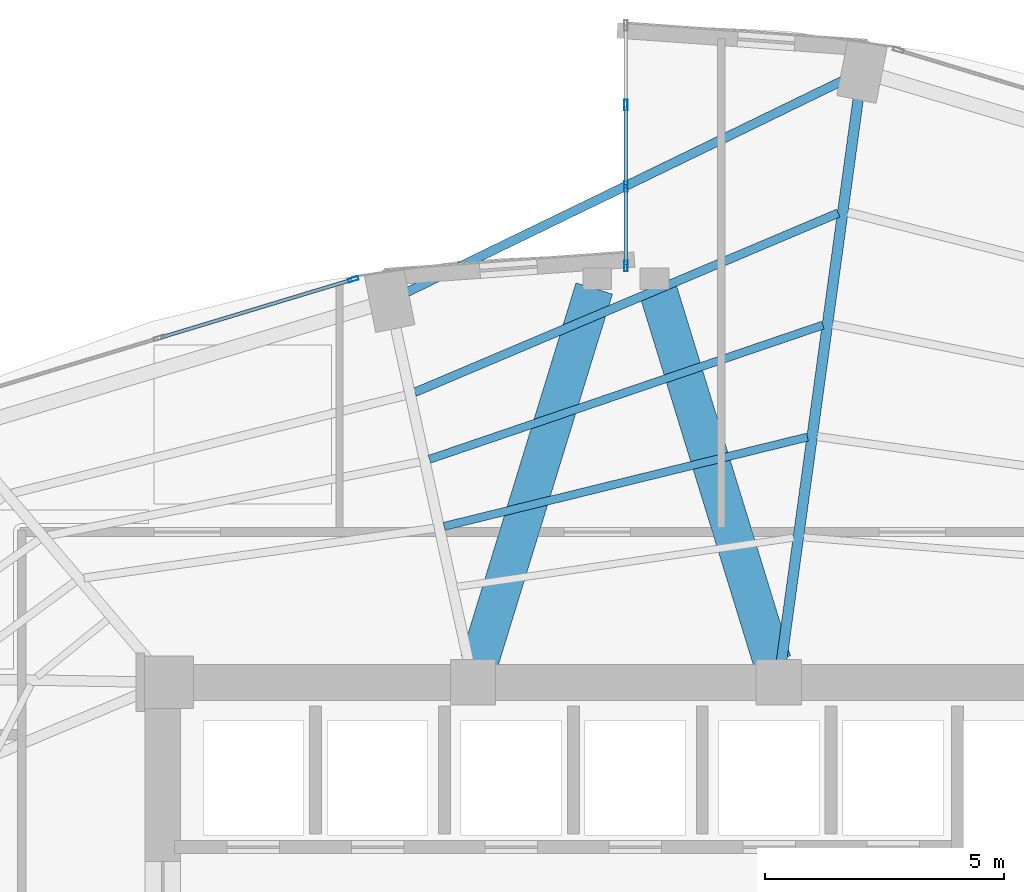
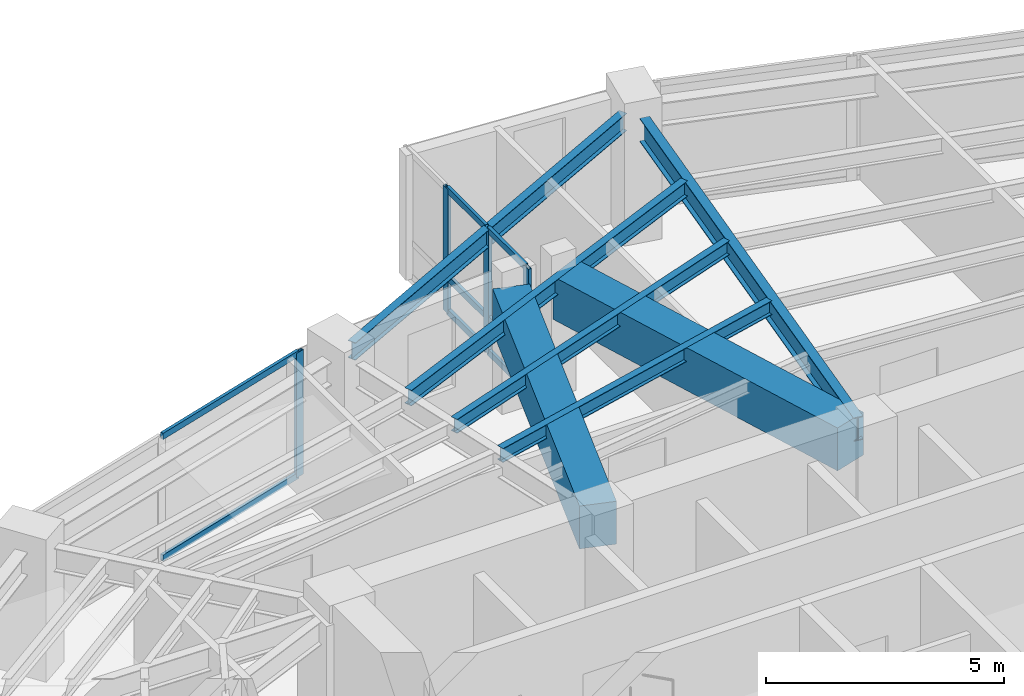
# One storey, part 15 of 24: 12 members, 7 beams, 2 elements without a shape of their own.
"""IFC4 building model written with IfcOpenShell, lengths in metres."""

import ifcopenshell
import ifcopenshell.guid

model = None  # the IFC model being written
_history = None  # IfcOwnerHistory: only IFC2X3 demands one
_inside = {}  # id of a spatial element -> (the spatial element, [elements in it])
_under = {}  # id of a project, library or spatial element -> (it, [spatial elements below it])
_declared = {}  # id of a project -> (the project, [libraries it declares])
_typed = {}  # id of a type object -> (the type object, [elements of that type])
_made_of = {}  # id of a material, layer set ... -> (it, [elements and type objects made of it])


def new_model(schema):
    """Start an empty IFC model of exactly this schema.

    Asked for "IFC4X3", IfcOpenShell would pick the latest addendum, in which some entities
    have other attributes; the version numbers below select the first issue.
    IFC2X3 requires an IfcOwnerHistory on every rooted entity: one is made here for all.
    """
    global model, _history
    if schema == "IFC4X3":
        model = ifcopenshell.file(schema_version=(4, 3, 0, 0))
    else:
        model = ifcopenshell.file(schema=schema)
    _inside.clear()
    _under.clear()
    _declared.clear()
    _typed.clear()
    _made_of.clear()
    _history = None
    if model.schema == "IFC2X3":
        org = make("IfcOrganization", Name="unknown")
        user = make(
            "IfcPersonAndOrganization",
            ThePerson=make("IfcPerson", FamilyName="unknown"),
            TheOrganization=org,
        )
        app = make(
            "IfcApplication",
            ApplicationDeveloper=org,
            Version="unknown",
            ApplicationFullName="unknown",
            ApplicationIdentifier="unknown",
        )
        _history = make(
            "IfcOwnerHistory",
            OwningUser=user,
            OwningApplication=app,
            ChangeAction="ADDED",
            CreationDate=0,
        )
    return model


def make(cls, **values):
    """One entity of the class cls with the attributes given. An attribute that is None is left unset."""
    return model.create_entity(
        cls, **{name: value for name, value in values.items() if value is not None}
    )


def rooted(cls, **values):
    """An entity with a GlobalId (a new one), such as an element, a storey or a relation."""
    return make(cls, GlobalId=ifcopenshell.guid.new(), OwnerHistory=_history, **values)


def si_unit(unit_type, name, prefix=None):
    """IfcSIUnit, for example si_unit("LENGTHUNIT", "METRE", prefix="MILLI")."""
    return make("IfcSIUnit", UnitType=unit_type, Prefix=prefix, Name=name)


def assignment(units):
    """IfcUnitAssignment: the units of a project."""
    return None if units is None else make("IfcUnitAssignment", Units=units)


def point(xyz):
    """IfcCartesianPoint."""
    return None if xyz is None else make("IfcCartesianPoint", Coordinates=xyz)


def direction(xyz):
    """IfcDirection."""
    return None if xyz is None else make("IfcDirection", DirectionRatios=xyz)


def frame(location, z_axis=None, x_axis=None):
    """IfcAxis2Placement3D, a coordinate frame: its origin and axes. An axis left out is left unset."""
    return make(
        "IfcAxis2Placement3D",
        Location=point(location),
        Axis=direction(z_axis),
        RefDirection=direction(x_axis),
    )


def frame_2d(location, x_axis=None):
    """IfcAxis2Placement2D, a coordinate frame in the plane: its origin and x axis."""
    return make(
        "IfcAxis2Placement2D", Location=point(location), RefDirection=direction(x_axis)
    )


def origin():
    """The frame at (0, 0, 0) with its axes left unset."""
    return frame((0.0, 0.0, 0.0))


def origin_2d():
    """The frame at (0, 0) in the plane with its x axis left unset."""
    return frame_2d((0.0, 0.0))


def place(relative_to, where):
    """IfcLocalPlacement: puts the frame where relative to a parent placement (None: the world)."""
    return make(
        "IfcLocalPlacement", PlacementRelTo=relative_to, RelativePlacement=where
    )


def context(
    kind, dimensions, precision=None, world=None, true_north=None, identifier=None
):
    """IfcGeometricRepresentationContext, for example the 3D "Model" context."""
    return make(
        "IfcGeometricRepresentationContext",
        ContextIdentifier=identifier,
        ContextType=kind,
        CoordinateSpaceDimension=dimensions,
        Precision=precision,
        WorldCoordinateSystem=world,
        TrueNorth=true_north,
    )


def subcontext(parent, identifier, kind, view, scale=None):
    """IfcGeometricRepresentationSubContext, for example "Body" below "Model"."""
    return make(
        "IfcGeometricRepresentationSubContext",
        ContextIdentifier=identifier,
        ContextType=kind,
        ParentContext=parent,
        TargetScale=scale,
        TargetView=view,
    )


def project(units=None, contexts=None):
    """IfcProject with its units and contexts."""
    return rooted(
        "IfcProject",
        Name="project",
        RepresentationContexts=contexts,
        UnitsInContext=assignment(units),
    )


def spatial(cls, under=None, at=None, **own):
    """A site, building, storey or space (cls), placed at a placement, below another one or the project."""
    s = rooted(cls, ObjectPlacement=at, **own)
    if under is not None:
        _under.setdefault(under.id(), (under, []))[1].append(s)
    return s


def profile(cls, at=None, kind="AREA", **sizes):
    """A parametric profile (cls). Its sizes go by their IFC names, for example OverallWidth=200.0."""
    return make(cls, ProfileType=kind, Position=at, **sizes)


def rectangle(**sizes):
    """IfcRectangleProfileDef."""
    return profile("IfcRectangleProfileDef", **sizes)


def hollow_rectangle(**sizes):
    """IfcRectangleHollowProfileDef."""
    return profile("IfcRectangleHollowProfileDef", **sizes)


def i_section(**sizes):
    """IfcIShapeProfileDef."""
    return profile("IfcIShapeProfileDef", **sizes)


def extrude(swept, where, along, depth):
    """IfcExtrudedAreaSolid: the profile swept, set in the frame where, extruded along a direction by depth."""
    return make(
        "IfcExtrudedAreaSolid",
        SweptArea=swept,
        Position=where,
        ExtrudedDirection=direction(along),
        Depth=depth,
    )


def shape(context_of_items, identifier, shape_type, items):
    """IfcShapeRepresentation: the items that make up one representation, for example the "Body"."""
    return make(
        "IfcShapeRepresentation",
        ContextOfItems=context_of_items,
        RepresentationIdentifier=identifier,
        RepresentationType=shape_type,
        Items=items,
    )


def material(Name=None, Category=None):
    """IfcMaterial."""
    return make("IfcMaterial", Name=Name, Category=Category)


def layer(
    of_material, thickness, ventilated=None, Name=None, Category=None, Priority=None
):
    """IfcMaterialLayer: one layer of a wall or slab, of a material (None: an air gap)."""
    return make(
        "IfcMaterialLayer",
        Material=of_material,
        LayerThickness=thickness,
        IsVentilated=ventilated,
        Name=Name,
        Category=Category,
        Priority=Priority,
    )


def layer_set(layers, Name=None):
    """IfcMaterialLayerSet."""
    return make("IfcMaterialLayerSet", MaterialLayers=layers, LayerSetName=Name)


def material_profile(
    of_material, cross_section, Name=None, Category=None, Priority=None
):
    """IfcMaterialProfile: a cross section and its material."""
    return make(
        "IfcMaterialProfile",
        Name=Name,
        Material=of_material,
        Profile=cross_section,
        Priority=Priority,
        Category=Category,
    )


def profile_set(profiles, Name=None, composite=None):
    """IfcMaterialProfileSet."""
    return make(
        "IfcMaterialProfileSet",
        Name=Name,
        MaterialProfiles=profiles,
        CompositeProfile=composite,
    )


def made_of(thing, what):
    """Note that an element or type object is made of a material, layer set ...; save() writes the relation."""
    if what is not None:
        _made_of.setdefault(what.id(), (what, []))[1].append(thing)
    return thing


def type_object(cls, material=None, **own):
    """A type object (cls), such as IfcWallType, which elements share."""
    return made_of(rooted(cls, **own), material)


def element(
    cls,
    number,
    at=None,
    inside=None,
    cuts=None,
    type_object=None,
    material=None,
    context=None,
    identifier="Body",
    shape_type=None,
    held_by="IfcProductDefinitionShape",
    body=None,
    shapes=None,
    **own,
):
    """One element of the class cls, such as IfcWall. Its Tag is "e" and its number.

    at: its placement. inside: the storey or other place that contains it. cuts: it is an
    opening in that element (IfcRelVoidsElement). A single representation is given by context,
    identifier, shape_type and body (its items); several are given by shapes. held_by: the class
    of the entity that holds the representations. save() writes the other relations.
    """
    e = rooted(cls, Tag="e%d" % number, ObjectPlacement=at, **own)
    if body is not None:
        shapes = [shape(context, identifier, shape_type, body)]
    if shapes is not None:
        e.Representation = make(held_by, Representations=shapes)
    if inside is not None:
        _inside.setdefault(inside.id(), (inside, []))[1].append(e)
    if cuts is not None:
        rooted(
            "IfcRelVoidsElement", RelatingBuildingElement=cuts, RelatedOpeningElement=e
        )
    if type_object is not None:
        _typed.setdefault(type_object.id(), (type_object, []))[1].append(e)
    return made_of(e, material)


def aggregate(whole, parts):
    """IfcRelAggregates: a whole, such as a stair, and the parts it consists of."""
    return rooted("IfcRelAggregates", RelatingObject=whole, RelatedObjects=parts)


def save(model, path):
    """Write the relations noted so far, then the file.

    IfcRelAggregates (storeys below a building ...), IfcRelContainedInSpatialStructure (elements
    in a storey), IfcRelDefinesByType, IfcRelAssociatesMaterial and IfcRelDeclares: one each for
    every whole, place, type object, material and project.
    """
    for whole, parts in _under.values():
        aggregate(whole, parts)
    for where, things in _inside.values():
        rooted(
            "IfcRelContainedInSpatialStructure",
            RelatedElements=things,
            RelatingStructure=where,
        )
    for kind, things in _typed.values():
        rooted("IfcRelDefinesByType", RelatedObjects=things, RelatingType=kind)
    for what, things in _made_of.values():
        rooted("IfcRelAssociatesMaterial", RelatedObjects=things, RelatingMaterial=what)
    for by, libraries in _declared.values():
        rooted("IfcRelDeclares", RelatingContext=by, RelatedDefinitions=libraries)
    model.write(path)


model = new_model("IFC4")

# Units and contexts
model_context = context("Model", 3, precision=1e-05, world=origin(), true_north=direction((0.0, 1.0)))
body_context = subcontext(model_context, "Body", "Model", "MODEL_VIEW")
ifc_project = project(units=[si_unit("LENGTHUNIT", "METRE"), si_unit("AREAUNIT", "SQUARE_METRE"), si_unit("VOLUMEUNIT", "CUBIC_METRE"), si_unit("PLANEANGLEUNIT", "RADIAN"), si_unit("MASSUNIT", "GRAM", prefix="KILO")], contexts=[model_context])

# Site, building, storey
site_placement = place(None, origin())
site = spatial("IfcSite", under=ifc_project, at=site_placement, CompositionType="ELEMENT")
building_placement = place(site_placement, origin())
building = spatial("IfcBuilding", under=site, at=building_placement, Name="Lazwardi Medical Tower", CompositionType="ELEMENT")
storey_placement = place(building_placement, frame((0.0, 0.0, 129.16796875)))
storey = spatial("IfcBuildingStorey", under=building, at=storey_placement, Name="L33", CompositionType="ELEMENT", Elevation=129.16796875)

# Beams
ifc_material_1 = material(Name="Concrete C70/85", Category="concrete")
ifc_material_profile_1 = material_profile(ifc_material_1, rectangle(XDim=0.800048828125, YDim=1.10009765625, at=origin_2d()), Name="RC 800x1100")
ifc_profile_set_1 = profile_set([ifc_material_profile_1], Name="Concrete C70/85")
beam_type_1 = type_object("IfcBeamType", Name="BM-CB-RC1", PredefinedType="LINTEL", material=ifc_profile_set_1)
for number, where, z_axis, x_axis, name in (
    (1, (32.935302734375, 36.039794921875, 2.64794921875), (0.294073251002, 0.955782884888, 0.0), (-0.955782884888, 0.294073251002, 0.0), "Core coupling lintel CB-01 PL1 L33"),
    (2, (39.064697265625, 36.039794921875, 2.64794921875), (-0.294073251002, 0.955782884888, 0.0), (-0.955782884888, -0.294073251002, 0.0), "Core coupling lintel CB-01 PL2 L33"),
):
    element("IfcBeam", number, at=place(storey_placement, frame(where, z_axis=z_axis, x_axis=x_axis)), inside=storey, type_object=beam_type_1, Name=name, PredefinedType="LINTEL", context=body_context, shape_type="SweptSolid", body=[
        extrude(rectangle(XDim=0.800048828125, YDim=1.10009765625, at=origin_2d()), origin(), (0.0, 0.0, 1.0), 8.1708984375),
    ])
ifc_material_2 = material(Name="Steel S355", Category="steel")
ifc_material_profile_2 = material_profile(ifc_material_2, i_section(OverallWidth=0.219970703125, OverallDepth=0.60009765625, WebThickness=0.011962890625, FlangeThickness=0.01904296875, at=origin_2d()), Name="IPE 600")
ifc_profile_set_2 = profile_set([ifc_material_profile_2], Name="Steel S355")
beam_type_2 = type_object("IfcBeamType", Name="BM-RG-W1", PredefinedType="BEAM", material=ifc_profile_set_2)
beam_1_placement = place(storey_placement, frame((40.8671875, 47.82275390625, 2.89794921875), z_axis=(-0.135147148002, -0.990825538825, 0.0), x_axis=(0.990825538825, -0.135147148002, 0.0)))
element("IfcBeam", 3, at=beam_1_placement, inside=storey, type_object=beam_type_2, Name="Radial girder RG-02 R08 L33", PredefinedType="BEAM", context=body_context, shape_type="SweptSolid", body=[
    extrude(i_section(OverallWidth=0.219970703125, OverallDepth=0.60009765625, WebThickness=0.011962890625, FlangeThickness=0.01904296875, at=origin_2d()), origin(), (0.0, 0.0, 1.0), 11.875732421875),
])
ifc_material_profile_3 = material_profile(ifc_material_2, i_section(OverallWidth=0.179931640625, OverallDepth=0.39990234375, WebThickness=0.008544921875, FlangeThickness=0.013427734375, at=origin_2d()), Name="IPE 400")
ifc_profile_set_3 = profile_set([ifc_material_profile_3], Name="Steel S355")
beam_type_3 = type_object("IfcBeamType", Name="BM-SJ-01", PredefinedType="JOIST", material=ifc_profile_set_3)
beam_2_placement = place(storey_placement, frame((40.449462890625, 45.428466796875, 2.998046875), z_axis=(-0.920947307957, -0.389687125739, 0.0), x_axis=(0.389687125739, -0.920947307957, 0.0)))
element("IfcBeam", 4, at=beam_2_placement, inside=storey, type_object=beam_type_3, Name="Secondary joist SJ-01 R1 B08 L33", PredefinedType="JOIST", context=body_context, shape_type="SweptSolid", body=[
    extrude(i_section(OverallWidth=0.179931640625, OverallDepth=0.39990234375, WebThickness=0.008544921875, FlangeThickness=0.013427734375, at=origin_2d()), origin(), (0.0, 0.0, 1.0), 9.63134765625),
])
ifc_material_profile_4 = material_profile(ifc_material_2, i_section(OverallWidth=0.169921875, OverallDepth=0.360107421875, WebThickness=0.008056640625, FlangeThickness=0.0126953125, at=origin_2d()), Name="IPE 360")
ifc_profile_set_4 = profile_set([ifc_material_profile_4], Name="Steel S355")
beam_type_4 = type_object("IfcBeamType", Name="BM-SJ-02", PredefinedType="JOIST", material=ifc_profile_set_4)
beam_3_placement = place(storey_placement, frame((40.125732421875, 43.08203125, 3.01806640625), z_axis=(-0.946467154368, -0.322800132749, 0.0), x_axis=(0.322800132749, -0.946467154368, 0.0)))
element("IfcBeam", 5, at=beam_3_placement, inside=storey, type_object=beam_type_4, Name="Secondary joist SJ-02 R2 B08 L33", PredefinedType="JOIST", context=body_context, shape_type="SweptSolid", body=[
    extrude(i_section(OverallWidth=0.169921875, OverallDepth=0.360107421875, WebThickness=0.008056640625, FlangeThickness=0.0126953125, at=origin_2d()), origin(), (0.0, 0.0, 1.0), 8.70458984375),
])
beam_4_placement = place(storey_placement, frame((39.80224609375, 40.737548828125, 3.01806640625), z_axis=(-0.97107737879, -0.238764998276, 0.0), x_axis=(0.238764998276, -0.97107737879, 0.0)))
element("IfcBeam", 6, at=beam_4_placement, inside=storey, type_object=beam_type_4, Name="Secondary joist SJ-02 R3 B08 L33", PredefinedType="JOIST", context=body_context, shape_type="SweptSolid", body=[
    extrude(i_section(OverallWidth=0.169921875, OverallDepth=0.360107421875, WebThickness=0.008056640625, FlangeThickness=0.0126953125, at=origin_2d()), origin(), (0.0, 0.0, 1.0), 7.83447265625),
])
ifc_material_profile_5 = material_profile(ifc_material_2, i_section(OverallWidth=0.18994140625, OverallDepth=0.449951171875, WebThickness=0.009521484375, FlangeThickness=0.0146484375, at=origin_2d()), Name="IPE 450")
ifc_profile_set_5 = profile_set([ifc_material_profile_5], Name="Steel S355")
beam_type_5 = type_object("IfcBeamType", Name="BM-SP-01", PredefinedType="SPANDREL", material=ifc_profile_set_5)
beam_5_placement = place(storey_placement, frame((40.57666015625, 48.218505859375, 2.97314453125), z_axis=(-0.899653336227, -0.436604941125, 0.0), x_axis=(0.436604941125, -0.899653336227, 0.0)))
element("IfcBeam", 7, at=beam_5_placement, inside=storey, type_object=beam_type_5, Name="Spandrel beam SP-01 B08 L33", PredefinedType="SPANDREL", context=body_context, shape_type="SweptSolid", body=[
    extrude(i_section(OverallWidth=0.18994140625, OverallDepth=0.449951171875, WebThickness=0.009521484375, FlangeThickness=0.0146484375, at=origin_2d()), origin(), (0.0, 0.0, 1.0), 10.17431640625),
])

# Curtain wall, member
ifc_material_3 = material(Name="Anodised bronze aluminium and solar control glazing", Category="aluminium")
ifc_layer_1 = layer(ifc_material_3, 0.195068359375)
ifc_layer_set_1 = layer_set([ifc_layer_1], Name="Anodised bronze aluminium and solar control glazing")
curtain_wall_type_1 = type_object("IfcCurtainWallType", Name="CW-SYS-03", PredefinedType="NOTDEFINED", material=ifc_layer_set_1)
curtain_wall_1_placement = place(storey_placement, origin())
curtain_wall_1 = element("IfcCurtainWall", 8, at=curtain_wall_1_placement, inside=storey, type_object=curtain_wall_type_1, Name="L33 Unitised bronze curtain wall CW-03", PredefinedType="NOTDEFINED")
ifc_material_4 = material(Name="Anodised bronze aluminium", Category="aluminium")
ifc_material_profile_6 = material_profile(ifc_material_4, hollow_rectangle(XDim=0.074951171875, YDim=0.219970703125, WallThickness=0.00390625, at=origin_2d()), Name="ALU-MULLION 220x75x4")
ifc_profile_set_6 = profile_set([ifc_material_profile_6], Name="Anodised bronze aluminium")
member_type_1 = type_object("IfcMemberType", Name="CW-MUL-01", PredefinedType="MULLION", material=ifc_profile_set_6)
member_1_placement = place(storey_placement, frame((30.289794921875, 44.0400390625, 0.0), z_axis=(0.0, 0.0, 1.0), x_axis=(0.28937381157, -0.957216170558, 0.0)))
member_1 = element("IfcMember", 9, at=member_1_placement, type_object=member_type_1, Name="CW-03 mullion 1", PredefinedType="MULLION", context=body_context, shape_type="SweptSolid", body=[
    extrude(hollow_rectangle(XDim=0.074951171875, YDim=0.219970703125, WallThickness=0.00390625, at=origin_2d()), origin(), (0.0, 0.0, 1.0), 3.197998046875),
])

# Curtain wall, members
ifc_layer_2 = layer(ifc_material_3, 0.2099609375)
ifc_layer_set_2 = layer_set([ifc_layer_2], Name="Anodised bronze aluminium and solar control glazing")
curtain_wall_type_2 = type_object("IfcCurtainWallType", Name="CW-SYS-06", PredefinedType="NOTDEFINED", material=ifc_layer_set_2)
curtain_wall_2_placement = place(storey_placement, origin())
curtain_wall_2 = element("IfcCurtainWall", 10, at=curtain_wall_2_placement, inside=storey, type_object=curtain_wall_type_2, Name="L33 Unitised bronze curtain wall CW-06", PredefinedType="NOTDEFINED")
member_2_placement = place(storey_placement, frame((36.0, 47.693359375, 0.0), z_axis=(0.0, 0.0, 1.0), x_axis=(1.0, 0.0, 0.0)))
member_2 = element("IfcMember", 11, at=member_2_placement, type_object=member_type_1, Name="CW-06 mullion 2", PredefinedType="MULLION", context=body_context, shape_type="SweptSolid", body=[
    extrude(hollow_rectangle(XDim=0.074951171875, YDim=0.219970703125, WallThickness=0.00390625, at=origin_2d()), origin(), (0.0, 0.0, 1.0), 3.197998046875),
])
member_3_placement = place(storey_placement, frame((36.0, 45.986572265625, 0.0), z_axis=(0.0, 0.0, 1.0), x_axis=(1.0, 0.0, 0.0)))
member_3 = element("IfcMember", 12, at=member_3_placement, type_object=member_type_1, Name="CW-06 mullion 3", PredefinedType="MULLION", context=body_context, shape_type="SweptSolid", body=[
    extrude(hollow_rectangle(XDim=0.074951171875, YDim=0.219970703125, WallThickness=0.00390625, at=origin_2d()), origin(), (0.0, 0.0, 1.0), 3.197998046875),
])
member_4_placement = place(storey_placement, frame((36.0, 44.3173828125, 0.0), z_axis=(0.0, 0.0, 1.0), x_axis=(1.0, 0.0, 0.0)))
member_4 = element("IfcMember", 13, at=member_4_placement, type_object=member_type_1, Name="CW-06 mullion 4", PredefinedType="MULLION", context=body_context, shape_type="SweptSolid", body=[
    extrude(hollow_rectangle(XDim=0.074951171875, YDim=0.219970703125, WallThickness=0.00390625, at=origin_2d()), origin(), (0.0, 0.0, 1.0), 3.197998046875),
])

# Member
ifc_material_profile_7 = material_profile(ifc_material_4, hollow_rectangle(XDim=0.074951171875, YDim=0.159912109375, WallThickness=0.00390625, at=origin_2d()), Name="ALU-TRANSOM 160x75x4")
ifc_profile_set_7 = profile_set([ifc_material_profile_7], Name="Anodised bronze aluminium")
member_type_2 = type_object("IfcMemberType", Name="CW-TRN-01", PredefinedType="USERDEFINED", material=ifc_profile_set_7)
member_5_placement = place(storey_placement, frame((30.25390625, 44.029296875, 0.03759765625), z_axis=(-0.957220865985, -0.289358279168, 0.0), x_axis=(0.289358279168, -0.957220865985, 0.0)))
member_5 = element("IfcMember", 14, at=member_5_placement, type_object=member_type_2, Name="CW-03 transom 1.1", ObjectType="TRANSOM", PredefinedType="USERDEFINED", context=body_context, shape_type="SweptSolid", body=[
    extrude(hollow_rectangle(XDim=0.074951171875, YDim=0.159912109375, WallThickness=0.00390625, at=origin_2d()), origin(), (0.0, 0.0, 1.0), 4.16552734375),
])

member_6_placement = place(storey_placement, frame((30.25390625, 44.029296875, 3.16064453125), z_axis=(-0.957220865985, -0.289358279168, 0.0), x_axis=(0.289358279168, -0.957220865985, 0.0)))
member_6 = element("IfcMember", 15, at=member_6_placement, type_object=member_type_2, Name="CW-03 transom 1.2", ObjectType="TRANSOM", PredefinedType="USERDEFINED", context=body_context, shape_type="SweptSolid", body=[
    extrude(hollow_rectangle(XDim=0.074951171875, YDim=0.159912109375, WallThickness=0.00390625, at=origin_2d()), origin(), (0.0, 0.0, 1.0), 4.16552734375),
])

aggregate(curtain_wall_1, [member_1, member_5, member_6])

member_7_placement = place(storey_placement, frame((36.0, 47.65576171875, 0.03759765625), z_axis=(0.0, -1.0, 0.0), x_axis=(1.0, 0.0, 0.0)))
member_7 = element("IfcMember", 16, at=member_7_placement, type_object=member_type_2, Name="CW-06 transom 2.1", ObjectType="TRANSOM", PredefinedType="USERDEFINED", context=body_context, shape_type="SweptSolid", body=[
    extrude(hollow_rectangle(XDim=0.074951171875, YDim=0.159912109375, WallThickness=0.00390625, at=origin_2d()), origin(), (0.0, 0.0, 1.0), 1.631591796875),
])

member_8_placement = place(storey_placement, frame((36.0, 47.65576171875, 0.900146484375), z_axis=(0.0, -1.0, 0.0), x_axis=(1.0, 0.0, 0.0)))
member_8 = element("IfcMember", 17, at=member_8_placement, type_object=member_type_2, Name="CW-06 transom 2.2", ObjectType="TRANSOM", PredefinedType="USERDEFINED", context=body_context, shape_type="SweptSolid", body=[
    extrude(hollow_rectangle(XDim=0.074951171875, YDim=0.159912109375, WallThickness=0.00390625, at=origin_2d()), origin(), (0.0, 0.0, 1.0), 1.631591796875),
])

member_9_placement = place(storey_placement, frame((36.0, 47.65576171875, 3.16064453125), z_axis=(0.0, -1.0, 0.0), x_axis=(1.0, 0.0, 0.0)))
member_9 = element("IfcMember", 18, at=member_9_placement, type_object=member_type_2, Name="CW-06 transom 2.3", ObjectType="TRANSOM", PredefinedType="USERDEFINED", context=body_context, shape_type="SweptSolid", body=[
    extrude(hollow_rectangle(XDim=0.074951171875, YDim=0.159912109375, WallThickness=0.00390625, at=origin_2d()), origin(), (0.0, 0.0, 1.0), 1.631591796875),
])

member_10_placement = place(storey_placement, frame((36.0, 45.94921875, 0.03759765625), z_axis=(0.0, -1.0, 0.0), x_axis=(1.0, 0.0, 0.0)))
member_10 = element("IfcMember", 19, at=member_10_placement, type_object=member_type_2, Name="CW-06 transom 3.1", ObjectType="TRANSOM", PredefinedType="USERDEFINED", context=body_context, shape_type="SweptSolid", body=[
    extrude(hollow_rectangle(XDim=0.074951171875, YDim=0.159912109375, WallThickness=0.00390625, at=origin_2d()), origin(), (0.0, 0.0, 1.0), 1.59423828125),
])

member_11_placement = place(storey_placement, frame((36.0, 45.94921875, 0.900146484375), z_axis=(0.0, -1.0, 0.0), x_axis=(1.0, 0.0, 0.0)))
member_11 = element("IfcMember", 20, at=member_11_placement, type_object=member_type_2, Name="CW-06 transom 3.2", ObjectType="TRANSOM", PredefinedType="USERDEFINED", context=body_context, shape_type="SweptSolid", body=[
    extrude(hollow_rectangle(XDim=0.074951171875, YDim=0.159912109375, WallThickness=0.00390625, at=origin_2d()), origin(), (0.0, 0.0, 1.0), 1.59423828125),
])

member_12_placement = place(storey_placement, frame((36.0, 45.94921875, 3.16064453125), z_axis=(0.0, -1.0, 0.0), x_axis=(1.0, 0.0, 0.0)))
member_12 = element("IfcMember", 21, at=member_12_placement, type_object=member_type_2, Name="CW-06 transom 3.3", ObjectType="TRANSOM", PredefinedType="USERDEFINED", context=body_context, shape_type="SweptSolid", body=[
    extrude(hollow_rectangle(XDim=0.074951171875, YDim=0.159912109375, WallThickness=0.00390625, at=origin_2d()), origin(), (0.0, 0.0, 1.0), 1.59423828125),
])

aggregate(curtain_wall_2, [member_2, member_3, member_4, member_7, member_8, member_9, member_10, member_11, member_12])

save(model, "model.ifc")
